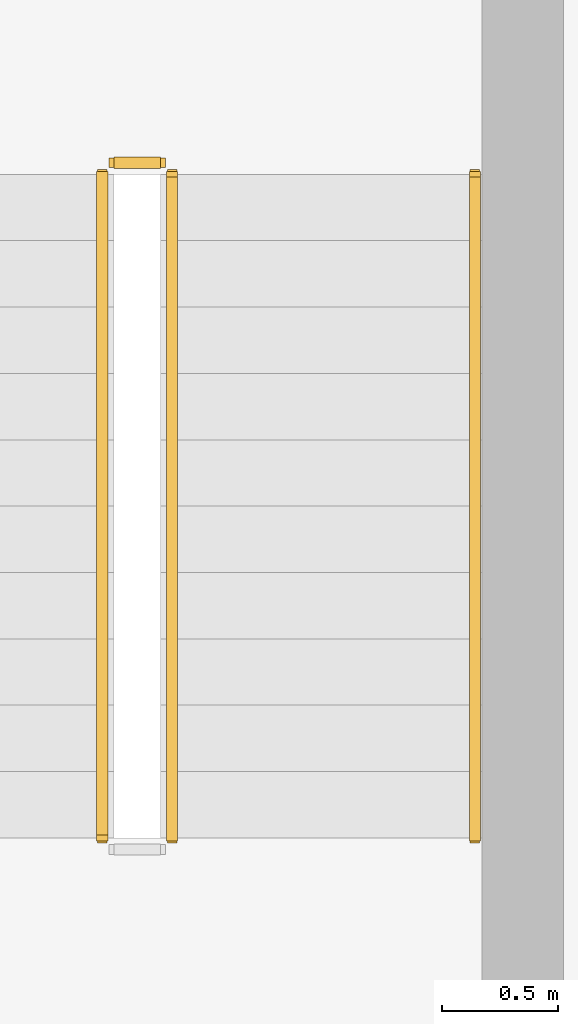
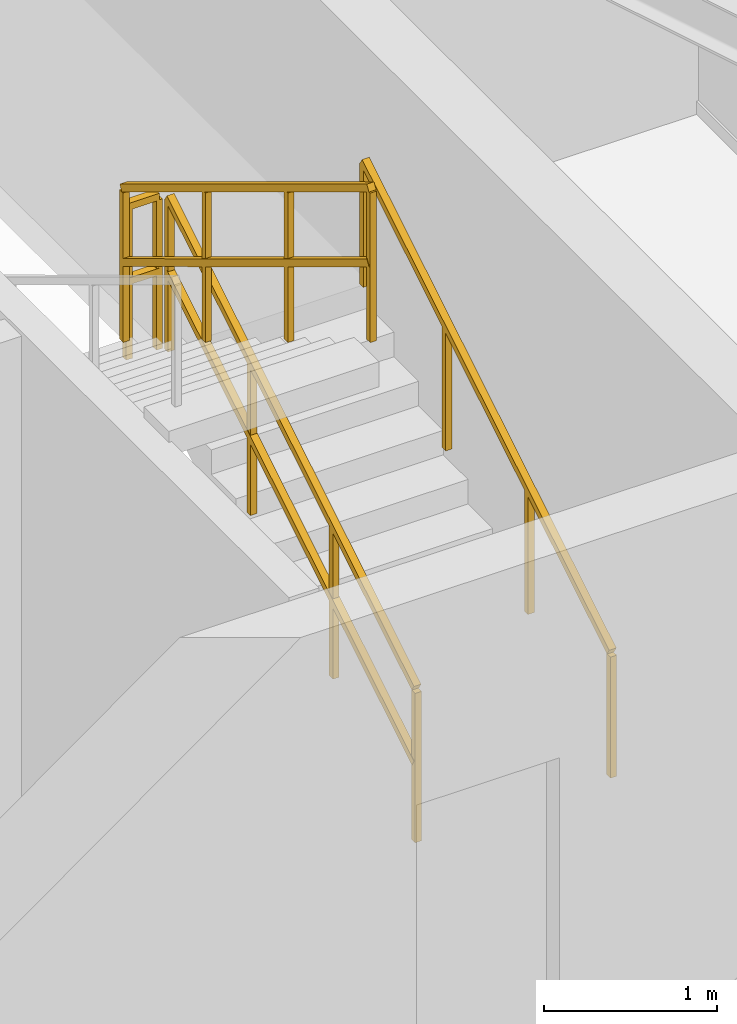
# One storey, part 25 of 25: 4 railings.
"""IFC4 building model written with IfcOpenShell, lengths in metres."""

from ifc_helpers import new_model, si_unit, direction, frame, origin, origin_2d, place, context, subcontext, project, spatial, rectangle, extrude, material, type_object, element, save


model = new_model("IFC4")

# Units and contexts
model_context = context("Model", 3, precision=1e-05, world=origin(), true_north=direction((0.0, 1.0)))
body_context = subcontext(model_context, "Body", "Model", "MODEL_VIEW")
ifc_project = project(units=[si_unit("LENGTHUNIT", "METRE"), si_unit("AREAUNIT", "SQUARE_METRE"), si_unit("VOLUMEUNIT", "CUBIC_METRE"), si_unit("PLANEANGLEUNIT", "RADIAN"), si_unit("MASSUNIT", "GRAM", prefix="KILO")], contexts=[model_context])

# Site, building, storey
site_placement = place(None, origin())
site = spatial("IfcSite", under=ifc_project, at=site_placement, CompositionType="ELEMENT")
building_placement = place(site_placement, origin())
building = spatial("IfcBuilding", under=site, at=building_placement, Name="Varnel Quay Broadcast Tower", CompositionType="ELEMENT")
storey_placement = place(building_placement, frame((0.0, 0.0, 273.60009765625)))
storey = spatial("IfcBuildingStorey", under=building, at=storey_placement, Name="L68", CompositionType="ELEMENT", Elevation=273.60009765625)

# Railings
ifc_material = material(Name="Painted Steel Guard and Handrail CSA G40.21 350W", Category="steel")
railing_type_1 = type_object("IfcRailingType", Name="Rail_StairGuard1100", PredefinedType="GUARDRAIL", material=ifc_material)
railing_1_placement = place(storey_placement, frame((50.64990234375, 37.75, 0.172607421875)))
element("IfcRailing", 1, at=railing_1_placement, inside=storey, type_object=railing_type_1, Name="L68 ST-02 stair guard 1", PredefinedType="GUARDRAIL", context=body_context, shape_type="SweptSolid", body=[
    extrude(rectangle(XDim=0.048095703125, YDim=0.048095703125, at=origin_2d()), frame((0.0, 0.0, 1.076171875), z_axis=(0.0, 0.855202751398, 0.518293598264), x_axis=(-1.0, 0.0, 0.0)), (0.0, 0.0, 1.0), 3.332763671875),
    extrude(rectangle(XDim=0.048095703125, YDim=0.048095703125, at=origin_2d()), frame((0.0, 0.0, 0.550048828125), z_axis=(0.0, 0.855202751398, 0.518293598264), x_axis=(-1.0, 0.0, 0.0)), (0.0, 0.0, 1.0), 3.332763671875),
    extrude(rectangle(XDim=0.0419921875, YDim=0.0419921875, at=origin_2d()), origin(), (0.0, 0.0, 1.0), 1.052001953125),
    extrude(rectangle(XDim=0.0419921875, YDim=0.0419921875, at=origin_2d()), frame((0.0, 0.949951171875, 0.57568359375)), (0.0, 0.0, 1.0), 1.052001953125),
    extrude(rectangle(XDim=0.0419921875, YDim=0.0419921875, at=origin_2d()), frame((0.0, 1.900146484375, 1.151611328125)), (0.0, 0.0, 1.0), 1.052001953125),
    extrude(rectangle(XDim=0.0419921875, YDim=0.0419921875, at=origin_2d()), frame((0.0, 2.85009765625, 1.727294921875)), (0.0, 0.0, 1.0), 1.052001953125),
])
railing_2_placement = place(storey_placement, frame((50.60009765625, 40.64990234375, 1.89990234375)))
element("IfcRailing", 2, at=railing_2_placement, inside=storey, type_object=railing_type_1, Name="L68 ST-02 stair guard 2", PredefinedType="GUARDRAIL", context=body_context, shape_type="SweptSolid", body=[
    extrude(rectangle(XDim=0.048095703125, YDim=0.048095703125, at=origin_2d()), frame((0.0, 0.0, 1.076171875), z_axis=(-1.0, 0.0, 0.0), x_axis=(0.0, -1.0, 0.0)), (0.0, 0.0, 1.0), 0.2001953125),
    extrude(rectangle(XDim=0.048095703125, YDim=0.048095703125, at=origin_2d()), frame((0.0, 0.0, 0.550048828125), z_axis=(-1.0, 0.0, 0.0), x_axis=(0.0, -1.0, 0.0)), (0.0, 0.0, 1.0), 0.2001953125),
    extrude(rectangle(XDim=0.0419921875, YDim=0.0419921875, at=origin_2d()), origin(), (0.0, 0.0, 1.0), 1.052001953125),
    extrude(rectangle(XDim=0.0419921875, YDim=0.0419921875, at=origin_2d()), frame((-0.2001953125, 0.0, 0.0)), (0.0, 0.0, 1.0), 1.052001953125),
])
railing_3_placement = place(storey_placement, frame((50.35009765625, 40.60009765625, 2.072509765625)))
element("IfcRailing", 3, at=railing_3_placement, inside=storey, type_object=railing_type_1, Name="L68 ST-02 stair guard 3", PredefinedType="GUARDRAIL", context=body_context, shape_type="SweptSolid", body=[
    extrude(rectangle(XDim=0.048095703125, YDim=0.048095703125, at=origin_2d()), frame((0.0, 0.0, 1.076171875), z_axis=(0.0, -0.855202751398, 0.518293598264), x_axis=(1.0, 0.0, 0.0)), (0.0, 0.0, 1.0), 3.332763671875),
    extrude(rectangle(XDim=0.048095703125, YDim=0.048095703125, at=origin_2d()), frame((0.0, 0.0, 0.550048828125), z_axis=(0.0, -0.855202751398, 0.518293598264), x_axis=(1.0, 0.0, 0.0)), (0.0, 0.0, 1.0), 3.332763671875),
    extrude(rectangle(XDim=0.0419921875, YDim=0.0419921875, at=origin_2d()), origin(), (0.0, 0.0, 1.0), 1.052001953125),
    extrude(rectangle(XDim=0.0419921875, YDim=0.0419921875, at=origin_2d()), frame((0.0, -0.949951171875, 0.57568359375)), (0.0, 0.0, 1.0), 1.052001953125),
    extrude(rectangle(XDim=0.0419921875, YDim=0.0419921875, at=origin_2d()), frame((0.0, -1.900146484375, 1.151611328125)), (0.0, 0.0, 1.0), 1.052001953125),
    extrude(rectangle(XDim=0.0419921875, YDim=0.0419921875, at=origin_2d()), frame((0.0, -2.85009765625, 1.727294921875)), (0.0, 0.0, 1.0), 1.052001953125),
])
railing_type_2 = type_object("IfcRailingType", Name="Rail_StairHandrail900", PredefinedType="HANDRAIL", material=ifc_material)
railing_4_placement = place(storey_placement, frame((51.949951171875, 37.75, 0.172607421875)))
element("IfcRailing", 4, at=railing_4_placement, inside=storey, type_object=railing_type_2, Name="L68 ST-02 stair handrail 1", PredefinedType="HANDRAIL", context=body_context, shape_type="SweptSolid", body=[
    extrude(rectangle(XDim=0.048095703125, YDim=0.048095703125, at=origin_2d()), frame((0.0, 0.0, 0.8759765625), z_axis=(0.0, 0.855202751398, 0.518293598264), x_axis=(-1.0, 0.0, 0.0)), (0.0, 0.0, 1.0), 3.332763671875),
    extrude(rectangle(XDim=0.0419921875, YDim=0.0419921875, at=origin_2d()), origin(), (0.0, 0.0, 1.0), 0.851806640625),
    extrude(rectangle(XDim=0.0419921875, YDim=0.0419921875, at=origin_2d()), frame((0.0, 0.949951171875, 0.57568359375)), (0.0, 0.0, 1.0), 0.851806640625),
    extrude(rectangle(XDim=0.0419921875, YDim=0.0419921875, at=origin_2d()), frame((0.0, 1.900146484375, 1.151611328125)), (0.0, 0.0, 1.0), 0.851806640625),
    extrude(rectangle(XDim=0.0419921875, YDim=0.0419921875, at=origin_2d()), frame((0.0, 2.85009765625, 1.727294921875)), (0.0, 0.0, 1.0), 0.851806640625),
])

save(model, "model.ifc")
